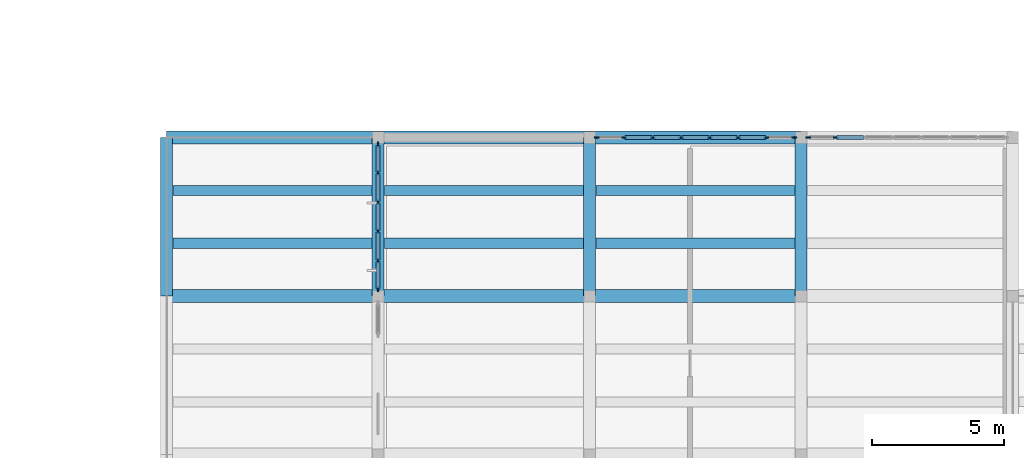
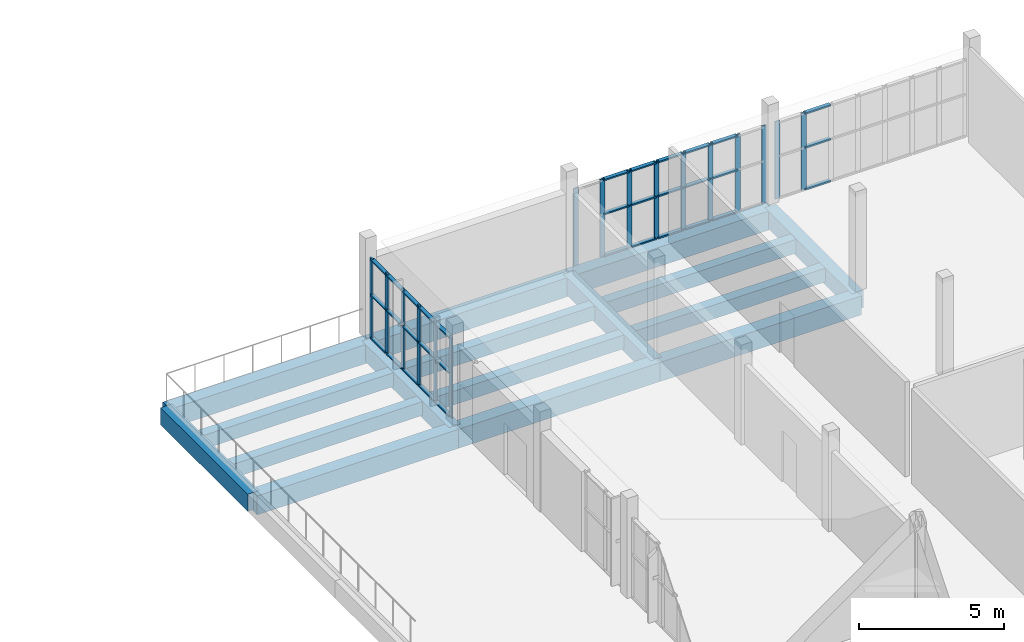
# One storey, part 21 of 70: 49 members, 16 beams, 3 elements without a shape of their own.
"""IFC4 building model written with IfcOpenShell, lengths in metres."""

from ifc_helpers import new_model, si_unit, direction, frame, origin, origin_2d, place, context, subcontext, project, spatial, rectangle, extrude, material, layer, layer_set, material_profile, profile_set, type_object, element, aggregate, save


model = new_model("IFC4")

# Units and contexts
model_context = context("Model", 3, precision=1e-05, world=origin(), true_north=direction((0.0, 1.0)))
body_context = subcontext(model_context, "Body", "Model", "MODEL_VIEW")
ifc_project = project(units=[si_unit("LENGTHUNIT", "METRE"), si_unit("AREAUNIT", "SQUARE_METRE"), si_unit("VOLUMEUNIT", "CUBIC_METRE"), si_unit("PLANEANGLEUNIT", "RADIAN"), si_unit("MASSUNIT", "GRAM", prefix="KILO")], contexts=[model_context])

# Site, building, storey
site_placement = place(None, origin())
site = spatial("IfcSite", under=ifc_project, at=site_placement, CompositionType="ELEMENT")
building_placement = place(site_placement, origin())
building = spatial("IfcBuilding", under=site, at=building_placement, Name="Solvane Community Centre", CompositionType="ELEMENT")
storey_placement = place(building_placement, frame((0.0, 0.0, 9.60009765625)))
storey = spatial("IfcBuildingStorey", under=building, at=storey_placement, Name="L02", CompositionType="ELEMENT", Elevation=9.60009765625)

# Curtain wall, members
ifc_material_1 = material(Name="Anodised bronze aluminium AW-6063 T6", Category="aluminium")
ifc_layer_1 = layer(ifc_material_1, 0.18994140625)
ifc_layer_set_1 = layer_set([ifc_layer_1], Name="Anodised bronze aluminium AW-6063 T6")
curtain_wall_type_1 = type_object("IfcCurtainWallType", Name="Boulevard Bronze Vision Curtain Wall [55x33dm]", PredefinedType="NOTDEFINED", material=ifc_layer_set_1)
curtain_wall_1_placement = place(storey_placement, origin())
curtain_wall_1 = element("IfcCurtainWall", 1, at=curtain_wall_1_placement, inside=storey, type_object=curtain_wall_type_1, Name="Curtain Wall CW-L02-1160_542-199", PredefinedType="NOTDEFINED")
ifc_material_profile_1 = material_profile(ifc_material_1, rectangle(XDim=0.06005859375, YDim=0.18994140625, at=origin_2d()), Name="CW-M 60x190")
ifc_profile_set_1 = profile_set([ifc_material_profile_1], Name="Anodised bronze aluminium AW-6063 T6")
member_type_1 = type_object("IfcMemberType", Name="Boulevard Mullion 60x190", PredefinedType="MULLION", material=ifc_profile_set_1)
member_1_placement = place(storey_placement, frame((116.0, 54.264892578125, 0.0), z_axis=(0.0, 0.0, 1.0), x_axis=(-1.0, 0.0, 0.0)))
member_1 = element("IfcMember", 2, at=member_1_placement, type_object=member_type_1, Name="CW02-55x33 mullion 1", PredefinedType="MULLION", context=body_context, shape_type="SweptSolid", body=[
    extrude(rectangle(XDim=0.06005859375, YDim=0.18994140625, at=origin_2d()), origin(), (0.0, 0.0, 1.0), 3.344970703125),
])
member_2_placement = place(storey_placement, frame((116.0, 55.341064453125, 0.0), z_axis=(0.0, 0.0, 1.0), x_axis=(-1.0, 0.0, 0.0)))
member_2 = element("IfcMember", 3, at=member_2_placement, type_object=member_type_1, Name="CW02-55x33 mullion 2", PredefinedType="MULLION", context=body_context, shape_type="SweptSolid", body=[
    extrude(rectangle(XDim=0.06005859375, YDim=0.18994140625, at=origin_2d()), origin(), (0.0, 0.0, 1.0), 3.344970703125),
])
member_3_placement = place(storey_placement, frame((116.0, 56.447021484375, 0.0), z_axis=(0.0, 0.0, 1.0), x_axis=(-1.0, 0.0, 0.0)))
member_3 = element("IfcMember", 4, at=member_3_placement, type_object=member_type_1, Name="CW02-55x33 mullion 3", PredefinedType="MULLION", context=body_context, shape_type="SweptSolid", body=[
    extrude(rectangle(XDim=0.06005859375, YDim=0.18994140625, at=origin_2d()), origin(), (0.0, 0.0, 1.0), 3.344970703125),
])
member_4_placement = place(storey_placement, frame((116.0, 57.552978515625, 0.0), z_axis=(0.0, 0.0, 1.0), x_axis=(-1.0, 0.0, 0.0)))
member_4 = element("IfcMember", 5, at=member_4_placement, type_object=member_type_1, Name="CW02-55x33 mullion 4", PredefinedType="MULLION", context=body_context, shape_type="SweptSolid", body=[
    extrude(rectangle(XDim=0.06005859375, YDim=0.18994140625, at=origin_2d()), origin(), (0.0, 0.0, 1.0), 3.344970703125),
])
member_5_placement = place(storey_placement, frame((116.0, 58.658935546875, 0.0), z_axis=(0.0, 0.0, 1.0), x_axis=(-1.0, 0.0, 0.0)))
member_5 = element("IfcMember", 6, at=member_5_placement, type_object=member_type_1, Name="CW02-55x33 mullion 5", PredefinedType="MULLION", context=body_context, shape_type="SweptSolid", body=[
    extrude(rectangle(XDim=0.06005859375, YDim=0.18994140625, at=origin_2d()), origin(), (0.0, 0.0, 1.0), 3.344970703125),
])
member_6_placement = place(storey_placement, frame((116.0, 59.735107421875, 0.0), z_axis=(0.0, 0.0, 1.0), x_axis=(-1.0, 0.0, 0.0)))
member_6 = element("IfcMember", 7, at=member_6_placement, type_object=member_type_1, Name="CW02-55x33 mullion 6", PredefinedType="MULLION", context=body_context, shape_type="SweptSolid", body=[
    extrude(rectangle(XDim=0.06005859375, YDim=0.18994140625, at=origin_2d()), origin(), (0.0, 0.0, 1.0), 3.344970703125),
])

ifc_layer_2 = layer(ifc_material_1, 0.18994140625)
ifc_layer_set_2 = layer_set([ifc_layer_2], Name="Anodised bronze aluminium AW-6063 T6")
curtain_wall_type_2 = type_object("IfcCurtainWallType", Name="Boulevard Bronze Vision Curtain Wall [75x32dm]", PredefinedType="NOTDEFINED", material=ifc_layer_set_2)
curtain_wall_2_placement = place(storey_placement, origin())
curtain_wall_2 = element("IfcCurtainWall", 8, at=curtain_wall_2_placement, inside=storey, type_object=curtain_wall_type_2, Name="Curtain Wall CW-L02-1242_600-200", PredefinedType="NOTDEFINED")
member_7_placement = place(storey_placement, frame((124.264892578125, 60.0, 0.0), z_axis=(0.0, 0.0, 1.0), x_axis=(0.0, 1.0, 0.0)))
member_7 = element("IfcMember", 9, at=member_7_placement, type_object=member_type_1, Name="CW02-75x32 mullion 1", PredefinedType="MULLION", context=body_context, shape_type="SweptSolid", body=[
    extrude(rectangle(XDim=0.06005859375, YDim=0.18994140625, at=origin_2d()), origin(), (0.0, 0.0, 1.0), 3.244873046875),
])
member_8_placement = place(storey_placement, frame((125.310791015625, 60.0, 0.0), z_axis=(0.0, 0.0, 1.0), x_axis=(0.0, 1.0, 0.0)))
member_8 = element("IfcMember", 10, at=member_8_placement, type_object=member_type_1, Name="CW02-75x32 mullion 2", PredefinedType="MULLION", context=body_context, shape_type="SweptSolid", body=[
    extrude(rectangle(XDim=0.06005859375, YDim=0.18994140625, at=origin_2d()), origin(), (0.0, 0.0, 1.0), 3.244873046875),
])
member_9_placement = place(storey_placement, frame((126.386474609375, 60.0, 0.0), z_axis=(0.0, 0.0, 1.0), x_axis=(0.0, 1.0, 0.0)))
member_9 = element("IfcMember", 11, at=member_9_placement, type_object=member_type_1, Name="CW02-75x32 mullion 3", PredefinedType="MULLION", context=body_context, shape_type="SweptSolid", body=[
    extrude(rectangle(XDim=0.06005859375, YDim=0.18994140625, at=origin_2d()), origin(), (0.0, 0.0, 1.0), 3.244873046875),
])
member_10_placement = place(storey_placement, frame((127.462158203125, 60.0, 0.0), z_axis=(0.0, 0.0, 1.0), x_axis=(0.0, 1.0, 0.0)))
member_10 = element("IfcMember", 12, at=member_10_placement, type_object=member_type_1, Name="CW02-75x32 mullion 4", PredefinedType="MULLION", context=body_context, shape_type="SweptSolid", body=[
    extrude(rectangle(XDim=0.06005859375, YDim=0.18994140625, at=origin_2d()), origin(), (0.0, 0.0, 1.0), 3.244873046875),
])
member_11_placement = place(storey_placement, frame((128.537841796875, 60.0, 0.0), z_axis=(0.0, 0.0, 1.0), x_axis=(0.0, 1.0, 0.0)))
member_11 = element("IfcMember", 13, at=member_11_placement, type_object=member_type_1, Name="CW02-75x32 mullion 5", PredefinedType="MULLION", context=body_context, shape_type="SweptSolid", body=[
    extrude(rectangle(XDim=0.06005859375, YDim=0.18994140625, at=origin_2d()), origin(), (0.0, 0.0, 1.0), 3.244873046875),
])
member_12_placement = place(storey_placement, frame((129.613525390625, 60.0, 0.0), z_axis=(0.0, 0.0, 1.0), x_axis=(0.0, 1.0, 0.0)))
member_12 = element("IfcMember", 14, at=member_12_placement, type_object=member_type_1, Name="CW02-75x32 mullion 6", PredefinedType="MULLION", context=body_context, shape_type="SweptSolid", body=[
    extrude(rectangle(XDim=0.06005859375, YDim=0.18994140625, at=origin_2d()), origin(), (0.0, 0.0, 1.0), 3.244873046875),
])
member_13_placement = place(storey_placement, frame((130.689208984375, 60.0, 0.0), z_axis=(0.0, 0.0, 1.0), x_axis=(0.0, 1.0, 0.0)))
member_13 = element("IfcMember", 15, at=member_13_placement, type_object=member_type_1, Name="CW02-75x32 mullion 7", PredefinedType="MULLION", context=body_context, shape_type="SweptSolid", body=[
    extrude(rectangle(XDim=0.06005859375, YDim=0.18994140625, at=origin_2d()), origin(), (0.0, 0.0, 1.0), 3.244873046875),
])
member_14_placement = place(storey_placement, frame((131.735107421875, 60.0, 0.0), z_axis=(0.0, 0.0, 1.0), x_axis=(0.0, 1.0, 0.0)))
member_14 = element("IfcMember", 16, at=member_14_placement, type_object=member_type_1, Name="CW02-75x32 mullion 8", PredefinedType="MULLION", context=body_context, shape_type="SweptSolid", body=[
    extrude(rectangle(XDim=0.06005859375, YDim=0.18994140625, at=origin_2d()), origin(), (0.0, 0.0, 1.0), 3.244873046875),
])

curtain_wall_3_placement = place(storey_placement, origin())
curtain_wall_3 = element("IfcCurtainWall", 17, at=curtain_wall_3_placement, inside=storey, type_object=curtain_wall_type_2, Name="Curtain Wall CW-L02-1322_600-201", PredefinedType="NOTDEFINED")
member_15_placement = place(storey_placement, frame((132.264892578125, 60.0, 0.0), z_axis=(0.0, 0.0, 1.0), x_axis=(0.0, 1.0, 0.0)))
member_15 = element("IfcMember", 18, at=member_15_placement, type_object=member_type_1, Name="CW02-75x32 mullion 1", PredefinedType="MULLION", context=body_context, shape_type="SweptSolid", body=[
    extrude(rectangle(XDim=0.06005859375, YDim=0.18994140625, at=origin_2d()), origin(), (0.0, 0.0, 1.0), 3.244873046875),
])
member_16_placement = place(storey_placement, frame((133.310791015625, 60.0, 0.0), z_axis=(0.0, 0.0, 1.0), x_axis=(0.0, 1.0, 0.0)))
member_16 = element("IfcMember", 19, at=member_16_placement, type_object=member_type_1, Name="CW02-75x32 mullion 2", PredefinedType="MULLION", context=body_context, shape_type="SweptSolid", body=[
    extrude(rectangle(XDim=0.06005859375, YDim=0.18994140625, at=origin_2d()), origin(), (0.0, 0.0, 1.0), 3.244873046875),
])

# Member
ifc_material_profile_2 = material_profile(ifc_material_1, rectangle(XDim=0.14990234375, YDim=0.06005859375, at=origin_2d()), Name="CW-T 60x150")
ifc_profile_set_2 = profile_set([ifc_material_profile_2], Name="Anodised bronze aluminium AW-6063 T6")
member_type_2 = type_object("IfcMemberType", Name="Boulevard Transom 60x150", PredefinedType="USERDEFINED", material=ifc_profile_set_2)
member_17_placement = place(storey_placement, frame((116.0, 54.294921875, 0.02978515625), z_axis=(0.0, 1.0, 0.0), x_axis=(-1.0, 0.0, 0.0)))
member_17 = element("IfcMember", 20, at=member_17_placement, type_object=member_type_2, Name="CW02-55x33 transom 1.1", ObjectType="TRANSOM", PredefinedType="USERDEFINED", context=body_context, shape_type="SweptSolid", body=[
    extrude(rectangle(XDim=0.14990234375, YDim=0.06005859375, at=origin_2d()), origin(), (0.0, 0.0, 1.0), 1.01611328125),
])

member_18_placement = place(storey_placement, frame((116.0, 54.294921875, 1.83984375), z_axis=(0.0, 1.0, 0.0), x_axis=(-1.0, 0.0, 0.0)))
member_18 = element("IfcMember", 21, at=member_18_placement, type_object=member_type_2, Name="CW02-55x33 transom 1.2", ObjectType="TRANSOM", PredefinedType="USERDEFINED", context=body_context, shape_type="SweptSolid", body=[
    extrude(rectangle(XDim=0.14990234375, YDim=0.06005859375, at=origin_2d()), origin(), (0.0, 0.0, 1.0), 1.01611328125),
])

member_19_placement = place(storey_placement, frame((116.0, 54.294921875, 3.31494140625), z_axis=(0.0, 1.0, 0.0), x_axis=(-1.0, 0.0, 0.0)))
member_19 = element("IfcMember", 22, at=member_19_placement, type_object=member_type_2, Name="CW02-55x33 transom 1.3", ObjectType="TRANSOM", PredefinedType="USERDEFINED", context=body_context, shape_type="SweptSolid", body=[
    extrude(rectangle(XDim=0.14990234375, YDim=0.06005859375, at=origin_2d()), origin(), (0.0, 0.0, 1.0), 1.01611328125),
])

member_20_placement = place(storey_placement, frame((116.0, 55.37109375, 0.02978515625), z_axis=(0.0, 1.0, 0.0), x_axis=(-1.0, 0.0, 0.0)))
member_20 = element("IfcMember", 23, at=member_20_placement, type_object=member_type_2, Name="CW02-55x33 transom 2.1", ObjectType="TRANSOM", PredefinedType="USERDEFINED", context=body_context, shape_type="SweptSolid", body=[
    extrude(rectangle(XDim=0.14990234375, YDim=0.06005859375, at=origin_2d()), origin(), (0.0, 0.0, 1.0), 1.0458984375),
])

member_21_placement = place(storey_placement, frame((116.0, 55.37109375, 1.83984375), z_axis=(0.0, 1.0, 0.0), x_axis=(-1.0, 0.0, 0.0)))
member_21 = element("IfcMember", 24, at=member_21_placement, type_object=member_type_2, Name="CW02-55x33 transom 2.2", ObjectType="TRANSOM", PredefinedType="USERDEFINED", context=body_context, shape_type="SweptSolid", body=[
    extrude(rectangle(XDim=0.14990234375, YDim=0.06005859375, at=origin_2d()), origin(), (0.0, 0.0, 1.0), 1.0458984375),
])

member_22_placement = place(storey_placement, frame((116.0, 55.37109375, 3.31494140625), z_axis=(0.0, 1.0, 0.0), x_axis=(-1.0, 0.0, 0.0)))
member_22 = element("IfcMember", 25, at=member_22_placement, type_object=member_type_2, Name="CW02-55x33 transom 2.3", ObjectType="TRANSOM", PredefinedType="USERDEFINED", context=body_context, shape_type="SweptSolid", body=[
    extrude(rectangle(XDim=0.14990234375, YDim=0.06005859375, at=origin_2d()), origin(), (0.0, 0.0, 1.0), 1.0458984375),
])

member_23_placement = place(storey_placement, frame((116.0, 56.47705078125, 0.02978515625), z_axis=(0.0, 1.0, 0.0), x_axis=(-1.0, 0.0, 0.0)))
member_23 = element("IfcMember", 26, at=member_23_placement, type_object=member_type_2, Name="CW02-55x33 transom 3.1", ObjectType="TRANSOM", PredefinedType="USERDEFINED", context=body_context, shape_type="SweptSolid", body=[
    extrude(rectangle(XDim=0.14990234375, YDim=0.06005859375, at=origin_2d()), origin(), (0.0, 0.0, 1.0), 1.0458984375),
])

member_24_placement = place(storey_placement, frame((116.0, 56.47705078125, 1.83984375), z_axis=(0.0, 1.0, 0.0), x_axis=(-1.0, 0.0, 0.0)))
member_24 = element("IfcMember", 27, at=member_24_placement, type_object=member_type_2, Name="CW02-55x33 transom 3.2", ObjectType="TRANSOM", PredefinedType="USERDEFINED", context=body_context, shape_type="SweptSolid", body=[
    extrude(rectangle(XDim=0.14990234375, YDim=0.06005859375, at=origin_2d()), origin(), (0.0, 0.0, 1.0), 1.0458984375),
])

member_25_placement = place(storey_placement, frame((116.0, 56.47705078125, 3.31494140625), z_axis=(0.0, 1.0, 0.0), x_axis=(-1.0, 0.0, 0.0)))
member_25 = element("IfcMember", 28, at=member_25_placement, type_object=member_type_2, Name="CW02-55x33 transom 3.3", ObjectType="TRANSOM", PredefinedType="USERDEFINED", context=body_context, shape_type="SweptSolid", body=[
    extrude(rectangle(XDim=0.14990234375, YDim=0.06005859375, at=origin_2d()), origin(), (0.0, 0.0, 1.0), 1.0458984375),
])

member_26_placement = place(storey_placement, frame((116.0, 57.5830078125, 0.02978515625), z_axis=(0.0, 1.0, 0.0), x_axis=(-1.0, 0.0, 0.0)))
member_26 = element("IfcMember", 29, at=member_26_placement, type_object=member_type_2, Name="CW02-55x33 transom 4.1", ObjectType="TRANSOM", PredefinedType="USERDEFINED", context=body_context, shape_type="SweptSolid", body=[
    extrude(rectangle(XDim=0.14990234375, YDim=0.06005859375, at=origin_2d()), origin(), (0.0, 0.0, 1.0), 1.0458984375),
])

member_27_placement = place(storey_placement, frame((116.0, 57.5830078125, 1.83984375), z_axis=(0.0, 1.0, 0.0), x_axis=(-1.0, 0.0, 0.0)))
member_27 = element("IfcMember", 30, at=member_27_placement, type_object=member_type_2, Name="CW02-55x33 transom 4.2", ObjectType="TRANSOM", PredefinedType="USERDEFINED", context=body_context, shape_type="SweptSolid", body=[
    extrude(rectangle(XDim=0.14990234375, YDim=0.06005859375, at=origin_2d()), origin(), (0.0, 0.0, 1.0), 1.0458984375),
])

member_28_placement = place(storey_placement, frame((116.0, 57.5830078125, 3.31494140625), z_axis=(0.0, 1.0, 0.0), x_axis=(-1.0, 0.0, 0.0)))
member_28 = element("IfcMember", 31, at=member_28_placement, type_object=member_type_2, Name="CW02-55x33 transom 4.3", ObjectType="TRANSOM", PredefinedType="USERDEFINED", context=body_context, shape_type="SweptSolid", body=[
    extrude(rectangle(XDim=0.14990234375, YDim=0.06005859375, at=origin_2d()), origin(), (0.0, 0.0, 1.0), 1.0458984375),
])

member_29_placement = place(storey_placement, frame((116.0, 58.68896484375, 0.02978515625), z_axis=(0.0, 1.0, 0.0), x_axis=(-1.0, 0.0, 0.0)))
member_29 = element("IfcMember", 32, at=member_29_placement, type_object=member_type_2, Name="CW02-55x33 transom 5.1", ObjectType="TRANSOM", PredefinedType="USERDEFINED", context=body_context, shape_type="SweptSolid", body=[
    extrude(rectangle(XDim=0.14990234375, YDim=0.06005859375, at=origin_2d()), origin(), (0.0, 0.0, 1.0), 1.01611328125),
])

member_30_placement = place(storey_placement, frame((116.0, 58.68896484375, 1.83984375), z_axis=(0.0, 1.0, 0.0), x_axis=(-1.0, 0.0, 0.0)))
member_30 = element("IfcMember", 33, at=member_30_placement, type_object=member_type_2, Name="CW02-55x33 transom 5.2", ObjectType="TRANSOM", PredefinedType="USERDEFINED", context=body_context, shape_type="SweptSolid", body=[
    extrude(rectangle(XDim=0.14990234375, YDim=0.06005859375, at=origin_2d()), origin(), (0.0, 0.0, 1.0), 1.01611328125),
])

member_31_placement = place(storey_placement, frame((116.0, 58.68896484375, 3.31494140625), z_axis=(0.0, 1.0, 0.0), x_axis=(-1.0, 0.0, 0.0)))
member_31 = element("IfcMember", 34, at=member_31_placement, type_object=member_type_2, Name="CW02-55x33 transom 5.3", ObjectType="TRANSOM", PredefinedType="USERDEFINED", context=body_context, shape_type="SweptSolid", body=[
    extrude(rectangle(XDim=0.14990234375, YDim=0.06005859375, at=origin_2d()), origin(), (0.0, 0.0, 1.0), 1.01611328125),
])

aggregate(curtain_wall_1, [member_1, member_2, member_3, member_4, member_5, member_6, member_17, member_18, member_19, member_20, member_21, member_22, member_23, member_24, member_25, member_26, member_27, member_28, member_29, member_30, member_31])

member_32_placement = place(storey_placement, frame((125.3408203125, 60.0, 0.02978515625), z_axis=(1.0, 0.0, 0.0), x_axis=(0.0, 1.0, 0.0)))
member_32 = element("IfcMember", 35, at=member_32_placement, type_object=member_type_2, Name="CW02-75x32 transom 2.1", ObjectType="TRANSOM", PredefinedType="USERDEFINED", context=body_context, shape_type="SweptSolid", body=[
    extrude(rectangle(XDim=0.14990234375, YDim=0.06005859375, at=origin_2d()), origin(), (0.0, 0.0, 1.0), 1.015625),
])

member_33_placement = place(storey_placement, frame((125.3408203125, 60.0, 1.784912109375), z_axis=(1.0, 0.0, 0.0), x_axis=(0.0, 1.0, 0.0)))
member_33 = element("IfcMember", 36, at=member_33_placement, type_object=member_type_2, Name="CW02-75x32 transom 2.2", ObjectType="TRANSOM", PredefinedType="USERDEFINED", context=body_context, shape_type="SweptSolid", body=[
    extrude(rectangle(XDim=0.14990234375, YDim=0.06005859375, at=origin_2d()), origin(), (0.0, 0.0, 1.0), 1.015625),
])

member_34_placement = place(storey_placement, frame((125.3408203125, 60.0, 3.21484375), z_axis=(1.0, 0.0, 0.0), x_axis=(0.0, 1.0, 0.0)))
member_34 = element("IfcMember", 37, at=member_34_placement, type_object=member_type_2, Name="CW02-75x32 transom 2.3", ObjectType="TRANSOM", PredefinedType="USERDEFINED", context=body_context, shape_type="SweptSolid", body=[
    extrude(rectangle(XDim=0.14990234375, YDim=0.06005859375, at=origin_2d()), origin(), (0.0, 0.0, 1.0), 1.015625),
])

member_35_placement = place(storey_placement, frame((126.41650390625, 60.0, 0.02978515625), z_axis=(1.0, 0.0, 0.0), x_axis=(0.0, 1.0, 0.0)))
member_35 = element("IfcMember", 38, at=member_35_placement, type_object=member_type_2, Name="CW02-75x32 transom 3.1", ObjectType="TRANSOM", PredefinedType="USERDEFINED", context=body_context, shape_type="SweptSolid", body=[
    extrude(rectangle(XDim=0.14990234375, YDim=0.06005859375, at=origin_2d()), origin(), (0.0, 0.0, 1.0), 1.015625),
])

member_36_placement = place(storey_placement, frame((126.41650390625, 60.0, 1.784912109375), z_axis=(1.0, 0.0, 0.0), x_axis=(0.0, 1.0, 0.0)))
member_36 = element("IfcMember", 39, at=member_36_placement, type_object=member_type_2, Name="CW02-75x32 transom 3.2", ObjectType="TRANSOM", PredefinedType="USERDEFINED", context=body_context, shape_type="SweptSolid", body=[
    extrude(rectangle(XDim=0.14990234375, YDim=0.06005859375, at=origin_2d()), origin(), (0.0, 0.0, 1.0), 1.015625),
])

member_37_placement = place(storey_placement, frame((126.41650390625, 60.0, 3.21484375), z_axis=(1.0, 0.0, 0.0), x_axis=(0.0, 1.0, 0.0)))
member_37 = element("IfcMember", 40, at=member_37_placement, type_object=member_type_2, Name="CW02-75x32 transom 3.3", ObjectType="TRANSOM", PredefinedType="USERDEFINED", context=body_context, shape_type="SweptSolid", body=[
    extrude(rectangle(XDim=0.14990234375, YDim=0.06005859375, at=origin_2d()), origin(), (0.0, 0.0, 1.0), 1.015625),
])

member_38_placement = place(storey_placement, frame((127.4921875, 60.0, 0.02978515625), z_axis=(1.0, 0.0, 0.0), x_axis=(0.0, 1.0, 0.0)))
member_38 = element("IfcMember", 41, at=member_38_placement, type_object=member_type_2, Name="CW02-75x32 transom 4.1", ObjectType="TRANSOM", PredefinedType="USERDEFINED", context=body_context, shape_type="SweptSolid", body=[
    extrude(rectangle(XDim=0.14990234375, YDim=0.06005859375, at=origin_2d()), origin(), (0.0, 0.0, 1.0), 1.015625),
])

member_39_placement = place(storey_placement, frame((127.4921875, 60.0, 1.784912109375), z_axis=(1.0, 0.0, 0.0), x_axis=(0.0, 1.0, 0.0)))
member_39 = element("IfcMember", 42, at=member_39_placement, type_object=member_type_2, Name="CW02-75x32 transom 4.2", ObjectType="TRANSOM", PredefinedType="USERDEFINED", context=body_context, shape_type="SweptSolid", body=[
    extrude(rectangle(XDim=0.14990234375, YDim=0.06005859375, at=origin_2d()), origin(), (0.0, 0.0, 1.0), 1.015625),
])

member_40_placement = place(storey_placement, frame((127.4921875, 60.0, 3.21484375), z_axis=(1.0, 0.0, 0.0), x_axis=(0.0, 1.0, 0.0)))
member_40 = element("IfcMember", 43, at=member_40_placement, type_object=member_type_2, Name="CW02-75x32 transom 4.3", ObjectType="TRANSOM", PredefinedType="USERDEFINED", context=body_context, shape_type="SweptSolid", body=[
    extrude(rectangle(XDim=0.14990234375, YDim=0.06005859375, at=origin_2d()), origin(), (0.0, 0.0, 1.0), 1.015625),
])

member_41_placement = place(storey_placement, frame((128.56787109375, 60.0, 0.02978515625), z_axis=(1.0, 0.0, 0.0), x_axis=(0.0, 1.0, 0.0)))
member_41 = element("IfcMember", 44, at=member_41_placement, type_object=member_type_2, Name="CW02-75x32 transom 5.1", ObjectType="TRANSOM", PredefinedType="USERDEFINED", context=body_context, shape_type="SweptSolid", body=[
    extrude(rectangle(XDim=0.14990234375, YDim=0.06005859375, at=origin_2d()), origin(), (0.0, 0.0, 1.0), 1.015625),
])

member_42_placement = place(storey_placement, frame((128.56787109375, 60.0, 1.784912109375), z_axis=(1.0, 0.0, 0.0), x_axis=(0.0, 1.0, 0.0)))
member_42 = element("IfcMember", 45, at=member_42_placement, type_object=member_type_2, Name="CW02-75x32 transom 5.2", ObjectType="TRANSOM", PredefinedType="USERDEFINED", context=body_context, shape_type="SweptSolid", body=[
    extrude(rectangle(XDim=0.14990234375, YDim=0.06005859375, at=origin_2d()), origin(), (0.0, 0.0, 1.0), 1.015625),
])

member_43_placement = place(storey_placement, frame((128.56787109375, 60.0, 3.21484375), z_axis=(1.0, 0.0, 0.0), x_axis=(0.0, 1.0, 0.0)))
member_43 = element("IfcMember", 46, at=member_43_placement, type_object=member_type_2, Name="CW02-75x32 transom 5.3", ObjectType="TRANSOM", PredefinedType="USERDEFINED", context=body_context, shape_type="SweptSolid", body=[
    extrude(rectangle(XDim=0.14990234375, YDim=0.06005859375, at=origin_2d()), origin(), (0.0, 0.0, 1.0), 1.015625),
])

member_44_placement = place(storey_placement, frame((129.6435546875, 60.0, 0.02978515625), z_axis=(1.0, 0.0, 0.0), x_axis=(0.0, 1.0, 0.0)))
member_44 = element("IfcMember", 47, at=member_44_placement, type_object=member_type_2, Name="CW02-75x32 transom 6.1", ObjectType="TRANSOM", PredefinedType="USERDEFINED", context=body_context, shape_type="SweptSolid", body=[
    extrude(rectangle(XDim=0.14990234375, YDim=0.06005859375, at=origin_2d()), origin(), (0.0, 0.0, 1.0), 1.015625),
])

member_45_placement = place(storey_placement, frame((129.6435546875, 60.0, 1.784912109375), z_axis=(1.0, 0.0, 0.0), x_axis=(0.0, 1.0, 0.0)))
member_45 = element("IfcMember", 48, at=member_45_placement, type_object=member_type_2, Name="CW02-75x32 transom 6.2", ObjectType="TRANSOM", PredefinedType="USERDEFINED", context=body_context, shape_type="SweptSolid", body=[
    extrude(rectangle(XDim=0.14990234375, YDim=0.06005859375, at=origin_2d()), origin(), (0.0, 0.0, 1.0), 1.015625),
])

member_46_placement = place(storey_placement, frame((129.6435546875, 60.0, 3.21484375), z_axis=(1.0, 0.0, 0.0), x_axis=(0.0, 1.0, 0.0)))
member_46 = element("IfcMember", 49, at=member_46_placement, type_object=member_type_2, Name="CW02-75x32 transom 6.3", ObjectType="TRANSOM", PredefinedType="USERDEFINED", context=body_context, shape_type="SweptSolid", body=[
    extrude(rectangle(XDim=0.14990234375, YDim=0.06005859375, at=origin_2d()), origin(), (0.0, 0.0, 1.0), 1.015625),
])

aggregate(curtain_wall_2, [member_7, member_8, member_9, member_10, member_11, member_12, member_13, member_14, member_32, member_33, member_34, member_35, member_36, member_37, member_38, member_39, member_40, member_41, member_42, member_43, member_44, member_45, member_46])

member_47_placement = place(storey_placement, frame((133.3408203125, 60.0, 0.02978515625), z_axis=(1.0, 0.0, 0.0), x_axis=(0.0, 1.0, 0.0)))
member_47 = element("IfcMember", 50, at=member_47_placement, type_object=member_type_2, Name="CW02-75x32 transom 2.1", ObjectType="TRANSOM", PredefinedType="USERDEFINED", context=body_context, shape_type="SweptSolid", body=[
    extrude(rectangle(XDim=0.14990234375, YDim=0.06005859375, at=origin_2d()), origin(), (0.0, 0.0, 1.0), 1.015625),
])

member_48_placement = place(storey_placement, frame((133.3408203125, 60.0, 1.784912109375), z_axis=(1.0, 0.0, 0.0), x_axis=(0.0, 1.0, 0.0)))
member_48 = element("IfcMember", 51, at=member_48_placement, type_object=member_type_2, Name="CW02-75x32 transom 2.2", ObjectType="TRANSOM", PredefinedType="USERDEFINED", context=body_context, shape_type="SweptSolid", body=[
    extrude(rectangle(XDim=0.14990234375, YDim=0.06005859375, at=origin_2d()), origin(), (0.0, 0.0, 1.0), 1.015625),
])

member_49_placement = place(storey_placement, frame((133.3408203125, 60.0, 3.21484375), z_axis=(1.0, 0.0, 0.0), x_axis=(0.0, 1.0, 0.0)))
member_49 = element("IfcMember", 52, at=member_49_placement, type_object=member_type_2, Name="CW02-75x32 transom 2.3", ObjectType="TRANSOM", PredefinedType="USERDEFINED", context=body_context, shape_type="SweptSolid", body=[
    extrude(rectangle(XDim=0.14990234375, YDim=0.06005859375, at=origin_2d()), origin(), (0.0, 0.0, 1.0), 1.015625),
])

aggregate(curtain_wall_3, [member_15, member_16, member_47, member_48, member_49])

# Beams
ifc_material_2 = material(Name="Concrete C35/45", Category="concrete")
ifc_material_profile_3 = material_profile(ifc_material_2, rectangle(XDim=0.4599609375, YDim=0.719970703125, at=origin_2d()), Name="RC 460x720")
ifc_profile_set_3 = profile_set([ifc_material_profile_3], Name="Concrete C35/45")
beam_type_1 = type_object("IfcBeamType", Name="RC Cloister Beam 460x720", PredefinedType="BEAM", material=ifc_profile_set_3)
for number, where, z_axis, x_axis, name in (
    (53, (108.0, 54.0, -0.580078125), (0.0, 1.0, 0.0), (-1.0, 0.0, 0.0), "Beam BM-L02-1080_540-1080_600"),
    (54, (116.0, 54.0, -0.580078125), (0.0, 1.0, 0.0), (-1.0, 0.0, 0.0), "Beam BM-L02-1160_540-1160_600"),
    (55, (124.0, 54.0, -0.580078125), (0.0, 1.0, 0.0), (-1.0, 0.0, 0.0), "Beam BM-L02-1240_540-1240_600"),
    (56, (132.0, 54.0, -0.580078125), (0.0, 1.0, 0.0), (-1.0, 0.0, 0.0), "Beam BM-L02-1320_540-1320_600"),
):
    element("IfcBeam", number, at=place(storey_placement, frame(where, z_axis=z_axis, x_axis=x_axis)), inside=storey, type_object=beam_type_1, Name=name, PredefinedType="BEAM", context=body_context, shape_type="SweptSolid", body=[
        extrude(rectangle(XDim=0.4599609375, YDim=0.719970703125, at=origin_2d()), origin(), (0.0, 0.0, 1.0), 6.0),
    ])
ifc_material_profile_4 = material_profile(ifc_material_2, rectangle(XDim=0.5, YDim=0.800048828125, at=origin_2d()), Name="RC 500x800")
ifc_profile_set_4 = profile_set([ifc_material_profile_4], Name="Concrete C35/45")
beam_type_2 = type_object("IfcBeamType", Name="RC Primary Girder 500x800", PredefinedType="USERDEFINED", material=ifc_profile_set_4)
for number, where, z_axis, x_axis, name in (
    (57, (108.0, 54.0, -0.6201171875), (1.0, 0.0, 0.0), (0.0, 1.0, 0.0), "Beam BM-L02-1080_540-1160_540"),
    (58, (116.0, 54.0, -0.6201171875), (1.0, 0.0, 0.0), (0.0, 1.0, 0.0), "Beam BM-L02-1160_540-1240_540"),
    (59, (124.0, 54.0, -0.6201171875), (1.0, 0.0, 0.0), (0.0, 1.0, 0.0), "Beam BM-L02-1240_540-1320_540"),
    (60, (108.0, 60.0, -0.6201171875), (1.0, 0.0, 0.0), (0.0, 1.0, 0.0), "Beam BM-L02-1080_600-1160_600"),
    (61, (116.0, 60.0, -0.6201171875), (1.0, 0.0, 0.0), (0.0, 1.0, 0.0), "Beam BM-L02-1160_600-1240_600"),
    (62, (124.0, 60.0, -0.6201171875), (1.0, 0.0, 0.0), (0.0, 1.0, 0.0), "Beam BM-L02-1240_600-1320_600"),
):
    element("IfcBeam", number, at=place(storey_placement, frame(where, z_axis=z_axis, x_axis=x_axis)), inside=storey, type_object=beam_type_2, Name=name, ObjectType="GIRDER", PredefinedType="USERDEFINED", context=body_context, shape_type="SweptSolid", body=[
        extrude(rectangle(XDim=0.5, YDim=0.800048828125, at=origin_2d()), origin(), (0.0, 0.0, 1.0), 8.0),
    ])
ifc_material_profile_5 = material_profile(ifc_material_2, rectangle(XDim=0.3798828125, YDim=0.580078125, at=origin_2d()), Name="RC 380x580")
ifc_profile_set_5 = profile_set([ifc_material_profile_5], Name="Concrete C35/45")
beam_type_3 = type_object("IfcBeamType", Name="RC Short Joist 380x580", PredefinedType="JOIST", material=ifc_profile_set_5)
for number, where, z_axis, x_axis, name in (
    (63, (108.239990234375, 56.0, -0.510009765625), (1.0, 0.0, 0.0), (0.0, 1.0, 0.0), "Beam BM-L02-1082_560-1158_560"),
    (64, (108.239990234375, 58.0, -0.510009765625), (1.0, 0.0, 0.0), (0.0, 1.0, 0.0), "Beam BM-L02-1082_580-1158_580"),
    (65, (116.239990234375, 56.0, -0.510009765625), (1.0, 0.0, 0.0), (0.0, 1.0, 0.0), "Beam BM-L02-1162_560-1238_560"),
    (66, (116.239990234375, 58.0, -0.510009765625), (1.0, 0.0, 0.0), (0.0, 1.0, 0.0), "Beam BM-L02-1162_580-1238_580"),
    (67, (124.239990234375, 56.0, -0.510009765625), (1.0, 0.0, 0.0), (0.0, 1.0, 0.0), "Beam BM-L02-1242_560-1318_560"),
    (68, (124.239990234375, 58.0, -0.510009765625), (1.0, 0.0, 0.0), (0.0, 1.0, 0.0), "Beam BM-L02-1242_580-1318_580"),
):
    element("IfcBeam", number, at=place(storey_placement, frame(where, z_axis=z_axis, x_axis=x_axis)), inside=storey, type_object=beam_type_3, Name=name, PredefinedType="JOIST", context=body_context, shape_type="SweptSolid", body=[
        extrude(rectangle(XDim=0.3798828125, YDim=0.580078125, at=origin_2d()), origin(), (0.0, 0.0, 1.0), 7.52001953125),
    ])

save(model, "model.ifc")
